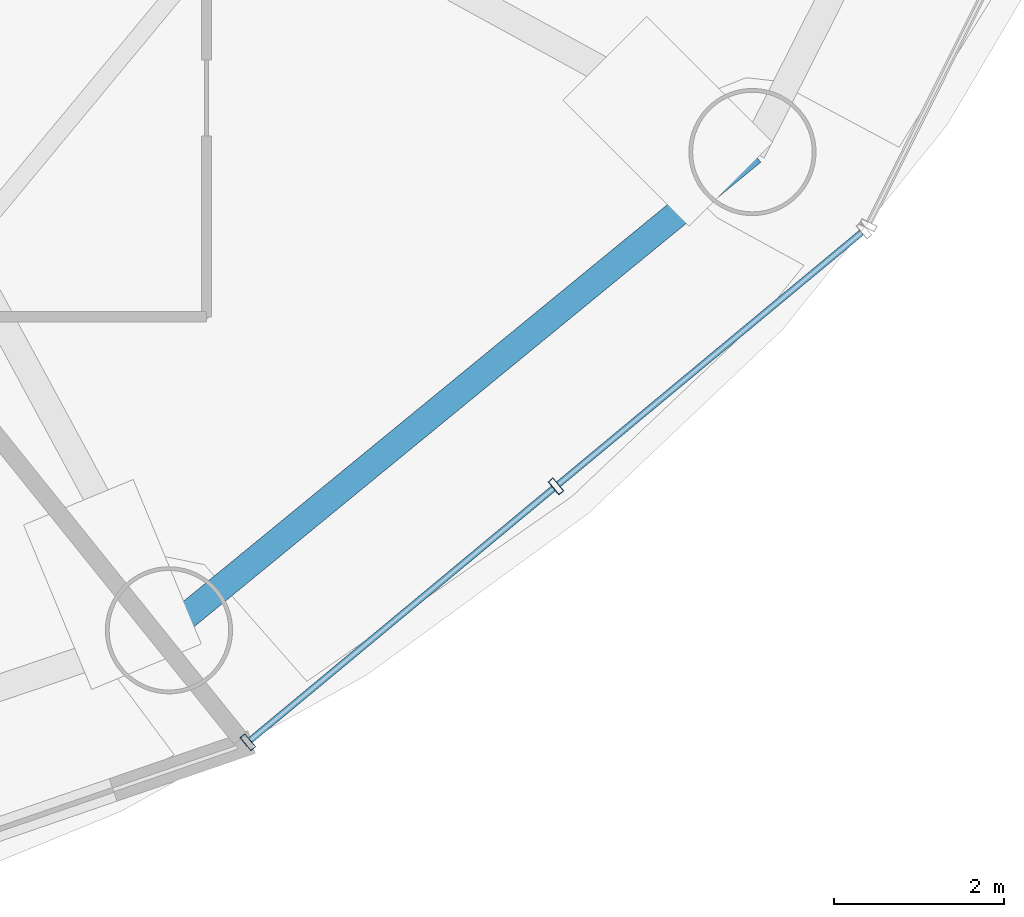
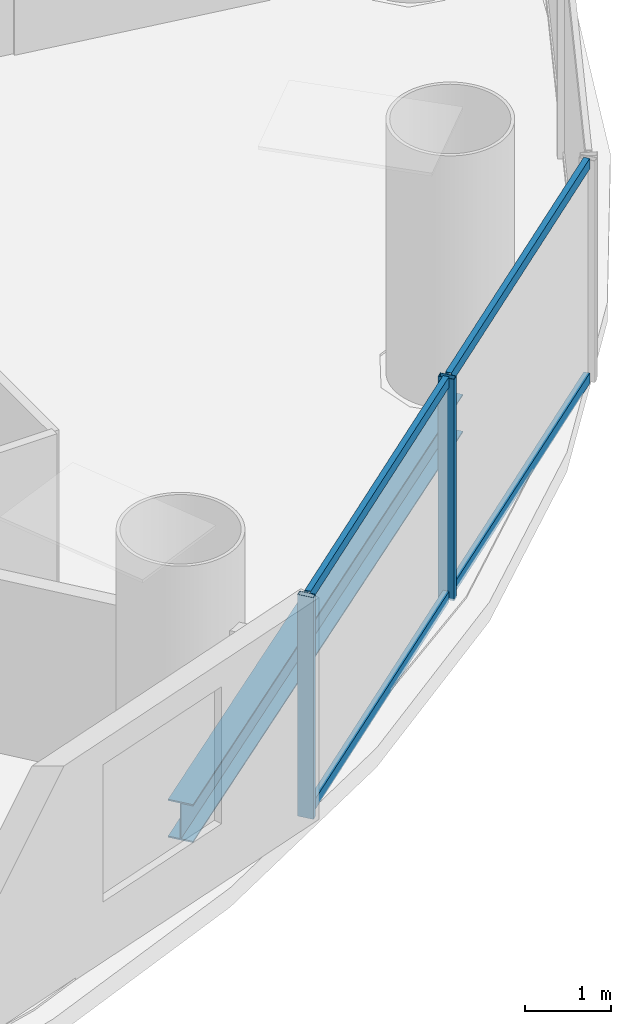
# One storey, part 11 of 29: 6 members, 1 beam, 1 element without a shape of its own.
"""IFC4 building model written with IfcOpenShell, lengths in metres."""

import ifcopenshell
import ifcopenshell.guid

model = None  # the IFC model being written
_history = None  # IfcOwnerHistory: only IFC2X3 demands one
_inside = {}  # id of a spatial element -> (the spatial element, [elements in it])
_under = {}  # id of a project, library or spatial element -> (it, [spatial elements below it])
_declared = {}  # id of a project -> (the project, [libraries it declares])
_typed = {}  # id of a type object -> (the type object, [elements of that type])
_made_of = {}  # id of a material, layer set ... -> (it, [elements and type objects made of it])


def new_model(schema):
    """Start an empty IFC model of exactly this schema.

    Asked for "IFC4X3", IfcOpenShell would pick the latest addendum, in which some entities
    have other attributes; the version numbers below select the first issue.
    IFC2X3 requires an IfcOwnerHistory on every rooted entity: one is made here for all.
    """
    global model, _history
    if schema == "IFC4X3":
        model = ifcopenshell.file(schema_version=(4, 3, 0, 0))
    else:
        model = ifcopenshell.file(schema=schema)
    _inside.clear()
    _under.clear()
    _declared.clear()
    _typed.clear()
    _made_of.clear()
    _history = None
    if model.schema == "IFC2X3":
        org = make("IfcOrganization", Name="unknown")
        user = make(
            "IfcPersonAndOrganization",
            ThePerson=make("IfcPerson", FamilyName="unknown"),
            TheOrganization=org,
        )
        app = make(
            "IfcApplication",
            ApplicationDeveloper=org,
            Version="unknown",
            ApplicationFullName="unknown",
            ApplicationIdentifier="unknown",
        )
        _history = make(
            "IfcOwnerHistory",
            OwningUser=user,
            OwningApplication=app,
            ChangeAction="ADDED",
            CreationDate=0,
        )
    return model


def make(cls, **values):
    """One entity of the class cls with the attributes given. An attribute that is None is left unset."""
    return model.create_entity(
        cls, **{name: value for name, value in values.items() if value is not None}
    )


def rooted(cls, **values):
    """An entity with a GlobalId (a new one), such as an element, a storey or a relation."""
    return make(cls, GlobalId=ifcopenshell.guid.new(), OwnerHistory=_history, **values)


def si_unit(unit_type, name, prefix=None):
    """IfcSIUnit, for example si_unit("LENGTHUNIT", "METRE", prefix="MILLI")."""
    return make("IfcSIUnit", UnitType=unit_type, Prefix=prefix, Name=name)


def assignment(units):
    """IfcUnitAssignment: the units of a project."""
    return None if units is None else make("IfcUnitAssignment", Units=units)


def point(xyz):
    """IfcCartesianPoint."""
    return None if xyz is None else make("IfcCartesianPoint", Coordinates=xyz)


def direction(xyz):
    """IfcDirection."""
    return None if xyz is None else make("IfcDirection", DirectionRatios=xyz)


def frame(location, z_axis=None, x_axis=None):
    """IfcAxis2Placement3D, a coordinate frame: its origin and axes. An axis left out is left unset."""
    return make(
        "IfcAxis2Placement3D",
        Location=point(location),
        Axis=direction(z_axis),
        RefDirection=direction(x_axis),
    )


def frame_2d(location, x_axis=None):
    """IfcAxis2Placement2D, a coordinate frame in the plane: its origin and x axis."""
    return make(
        "IfcAxis2Placement2D", Location=point(location), RefDirection=direction(x_axis)
    )


def origin():
    """The frame at (0, 0, 0) with its axes left unset."""
    return frame((0.0, 0.0, 0.0))


def origin_2d():
    """The frame at (0, 0) in the plane with its x axis left unset."""
    return frame_2d((0.0, 0.0))


def place(relative_to, where):
    """IfcLocalPlacement: puts the frame where relative to a parent placement (None: the world)."""
    return make(
        "IfcLocalPlacement", PlacementRelTo=relative_to, RelativePlacement=where
    )


def context(
    kind, dimensions, precision=None, world=None, true_north=None, identifier=None
):
    """IfcGeometricRepresentationContext, for example the 3D "Model" context."""
    return make(
        "IfcGeometricRepresentationContext",
        ContextIdentifier=identifier,
        ContextType=kind,
        CoordinateSpaceDimension=dimensions,
        Precision=precision,
        WorldCoordinateSystem=world,
        TrueNorth=true_north,
    )


def subcontext(parent, identifier, kind, view, scale=None):
    """IfcGeometricRepresentationSubContext, for example "Body" below "Model"."""
    return make(
        "IfcGeometricRepresentationSubContext",
        ContextIdentifier=identifier,
        ContextType=kind,
        ParentContext=parent,
        TargetScale=scale,
        TargetView=view,
    )


def project(units=None, contexts=None):
    """IfcProject with its units and contexts."""
    return rooted(
        "IfcProject",
        Name="project",
        RepresentationContexts=contexts,
        UnitsInContext=assignment(units),
    )


def spatial(cls, under=None, at=None, **own):
    """A site, building, storey or space (cls), placed at a placement, below another one or the project."""
    s = rooted(cls, ObjectPlacement=at, **own)
    if under is not None:
        _under.setdefault(under.id(), (under, []))[1].append(s)
    return s


def profile(cls, at=None, kind="AREA", **sizes):
    """A parametric profile (cls). Its sizes go by their IFC names, for example OverallWidth=200.0."""
    return make(cls, ProfileType=kind, Position=at, **sizes)


def hollow_rectangle(**sizes):
    """IfcRectangleHollowProfileDef."""
    return profile("IfcRectangleHollowProfileDef", **sizes)


def i_section(**sizes):
    """IfcIShapeProfileDef."""
    return profile("IfcIShapeProfileDef", **sizes)


def extrude(swept, where, along, depth):
    """IfcExtrudedAreaSolid: the profile swept, set in the frame where, extruded along a direction by depth."""
    return make(
        "IfcExtrudedAreaSolid",
        SweptArea=swept,
        Position=where,
        ExtrudedDirection=direction(along),
        Depth=depth,
    )


def shape(context_of_items, identifier, shape_type, items):
    """IfcShapeRepresentation: the items that make up one representation, for example the "Body"."""
    return make(
        "IfcShapeRepresentation",
        ContextOfItems=context_of_items,
        RepresentationIdentifier=identifier,
        RepresentationType=shape_type,
        Items=items,
    )


def source(mapping_origin, context_of_items, identifier, shape_type, items):
    """IfcRepresentationMap: a shape defined once, which mapped items show again and again."""
    return make(
        "IfcRepresentationMap",
        MappingOrigin=mapping_origin,
        MappedRepresentation=shape(context_of_items, identifier, shape_type, items),
    )


def transform(
    local_origin,
    x_axis=None,
    y_axis=None,
    z_axis=None,
    scale=None,
    scale2=None,
    scale3=None,
    uniform=True,
):
    """IfcCartesianTransformationOperator3D, or its non-uniform kind. x_axis, y_axis, z_axis: its Axis1, 2, 3."""
    if uniform:
        return make(
            "IfcCartesianTransformationOperator3D",
            Axis1=direction(x_axis),
            Axis2=direction(y_axis),
            LocalOrigin=point(local_origin),
            Scale=scale,
            Axis3=direction(z_axis),
        )
    return make(
        "IfcCartesianTransformationOperator3DnonUniform",
        Axis1=direction(x_axis),
        Axis2=direction(y_axis),
        LocalOrigin=point(local_origin),
        Scale=scale,
        Axis3=direction(z_axis),
        Scale2=scale2,
        Scale3=scale3,
    )


def mapped(mapping_source, mapping_target):
    """IfcMappedItem: shows the shape of a source again, moved by a transform."""
    return make(
        "IfcMappedItem", MappingSource=mapping_source, MappingTarget=mapping_target
    )


def material(Name=None, Category=None):
    """IfcMaterial."""
    return make("IfcMaterial", Name=Name, Category=Category)


def material_profile(
    of_material, cross_section, Name=None, Category=None, Priority=None
):
    """IfcMaterialProfile: a cross section and its material."""
    return make(
        "IfcMaterialProfile",
        Name=Name,
        Material=of_material,
        Profile=cross_section,
        Priority=Priority,
        Category=Category,
    )


def profile_set(profiles, Name=None, composite=None):
    """IfcMaterialProfileSet."""
    return make(
        "IfcMaterialProfileSet",
        Name=Name,
        MaterialProfiles=profiles,
        CompositeProfile=composite,
    )


def made_of(thing, what):
    """Note that an element or type object is made of a material, layer set ...; save() writes the relation."""
    if what is not None:
        _made_of.setdefault(what.id(), (what, []))[1].append(thing)
    return thing


def type_object(cls, material=None, **own):
    """A type object (cls), such as IfcWallType, which elements share."""
    return made_of(rooted(cls, **own), material)


def element(
    cls,
    number,
    at=None,
    inside=None,
    cuts=None,
    type_object=None,
    material=None,
    context=None,
    identifier="Body",
    shape_type=None,
    held_by="IfcProductDefinitionShape",
    body=None,
    shapes=None,
    **own,
):
    """One element of the class cls, such as IfcWall. Its Tag is "e" and its number.

    at: its placement. inside: the storey or other place that contains it. cuts: it is an
    opening in that element (IfcRelVoidsElement). A single representation is given by context,
    identifier, shape_type and body (its items); several are given by shapes. held_by: the class
    of the entity that holds the representations. save() writes the other relations.
    """
    e = rooted(cls, Tag="e%d" % number, ObjectPlacement=at, **own)
    if body is not None:
        shapes = [shape(context, identifier, shape_type, body)]
    if shapes is not None:
        e.Representation = make(held_by, Representations=shapes)
    if inside is not None:
        _inside.setdefault(inside.id(), (inside, []))[1].append(e)
    if cuts is not None:
        rooted(
            "IfcRelVoidsElement", RelatingBuildingElement=cuts, RelatedOpeningElement=e
        )
    if type_object is not None:
        _typed.setdefault(type_object.id(), (type_object, []))[1].append(e)
    return made_of(e, material)


def aggregate(whole, parts):
    """IfcRelAggregates: a whole, such as a stair, and the parts it consists of."""
    return rooted("IfcRelAggregates", RelatingObject=whole, RelatedObjects=parts)


def save(model, path):
    """Write the relations noted so far, then the file.

    IfcRelAggregates (storeys below a building ...), IfcRelContainedInSpatialStructure (elements
    in a storey), IfcRelDefinesByType, IfcRelAssociatesMaterial and IfcRelDeclares: one each for
    every whole, place, type object, material and project.
    """
    for whole, parts in _under.values():
        aggregate(whole, parts)
    for where, things in _inside.values():
        rooted(
            "IfcRelContainedInSpatialStructure",
            RelatedElements=things,
            RelatingStructure=where,
        )
    for kind, things in _typed.values():
        rooted("IfcRelDefinesByType", RelatedObjects=things, RelatingType=kind)
    for what, things in _made_of.values():
        rooted("IfcRelAssociatesMaterial", RelatedObjects=things, RelatingMaterial=what)
    for by, libraries in _declared.values():
        rooted("IfcRelDeclares", RelatingContext=by, RelatedDefinitions=libraries)
    model.write(path)


model = new_model("IFC4")

# Units and contexts
model_context = context("Model", 3, precision=1e-05, world=origin(), true_north=direction((-0.2419218956, 0.970295726276)))
body_context = subcontext(model_context, "Body", "Model", "MODEL_VIEW")
ifc_project = project(units=[si_unit("LENGTHUNIT", "METRE"), si_unit("AREAUNIT", "SQUARE_METRE"), si_unit("VOLUMEUNIT", "CUBIC_METRE"), si_unit("PLANEANGLEUNIT", "RADIAN"), si_unit("MASSUNIT", "GRAM", prefix="KILO")], contexts=[model_context])

# Site, building, storey
site_placement = place(None, origin())
site = spatial("IfcSite", under=ifc_project, at=site_placement, CompositionType="ELEMENT")
building_placement = place(site_placement, origin())
building = spatial("IfcBuilding", under=site, at=building_placement, Name="Cobrevalo Terracotta Tower", CompositionType="ELEMENT")
storey_placement = place(building_placement, frame((0.0, 0.0, 126.60009765625)))
storey = spatial("IfcBuildingStorey", under=building, at=storey_placement, Name="L33", CompositionType="ELEMENT", Elevation=126.60009765625)

# Beam
ifc_material_1 = material(Name="Steel S355", Category="steel")
ifc_material_profile_1 = material_profile(ifc_material_1, i_section(OverallWidth=0.31201171875, OverallDepth=0.54296875, WebThickness=0.0126953125, FlangeThickness=0.020263671875, at=origin_2d()), Name="W 530x150")
ifc_profile_set_1 = profile_set([ifc_material_profile_1], Name="Steel S355")
beam_type = type_object("IfcBeamType", Name="Structural Spandrel W 530x150 (Steel S355)", PredefinedType="SPANDREL", material=ifc_profile_set_1)
beam_placement = place(storey_placement, frame((51.861572265625, 9.79638671875, -0.546630859375), z_axis=(0.773400923541, 0.633917196064, 0.0), x_axis=(-0.633917196064, 0.773400923541, 0.0)))
element("IfcBeam", 1, at=beam_placement, inside=storey, type_object=beam_type, Name="L33 perimeter ring spandrel 14", PredefinedType="SPANDREL", context=body_context, shape_type="SweptSolid", body=[
    extrude(i_section(OverallWidth=0.31201171875, OverallDepth=0.54296875, WebThickness=0.0126953125, FlangeThickness=0.020263671875, at=origin_2d()), origin(), (0.0, 0.0, 1.0), 8.900390625),
])

# Curtain wall, members
ifc_material_2 = material(Name="Anodized aluminium", Category="aluminium")
curtain_wall_type = type_object("IfcCurtainWallType", Name="Lower-tower unitised acoustic low-E curtain wall CW-U1", PredefinedType="NOTDEFINED", material=ifc_material_2)
curtain_wall_placement = place(storey_placement, origin())
curtain_wall = element("IfcCurtainWall", 2, at=curtain_wall_placement, inside=storey, type_object=curtain_wall_type, Name="L33 curtain wall CW-L33-S14", PredefinedType="NOTDEFINED")
ifc_material_profile_2 = material_profile(ifc_material_2, hollow_rectangle(XDim=0.074951171875, YDim=0.199951171875, WallThickness=0.0048828125, at=origin_2d()), Name="CWM 75x200")
ifc_profile_set_2 = profile_set([ifc_material_profile_2], Name="Anodized aluminium")
member_type_1 = type_object("IfcMemberType", Name="Lower/mid tower unitised mullion 75x200", PredefinedType="MULLION", material=ifc_profile_set_2)
shared_shape_1 = source(origin(), body_context, "Body", "SweptSolid", [
    extrude(hollow_rectangle(XDim=0.074951171875, YDim=0.199951171875, WallThickness=0.0048828125, at=origin_2d()), origin(), (0.0, 0.0, 1.0), 3.14990234375),
])
member_1_placement = place(storey_placement, frame((52.792236328125, 8.47509765625, 0.0), z_axis=(0.0, 0.0, 1.0), x_axis=(0.769243451658, 0.638955798222, 0.0)))
member_1 = element("IfcMember", 3, at=member_1_placement, type_object=member_type_1, Name="CW-L33-S14 vertical mullion 01", PredefinedType="MULLION", context=body_context, shape_type="MappedRepresentation", body=[
    mapped(shared_shape_1, transform((0.0, 0.0, 0.0), scale=1.0)),
])
member_2_placement = place(storey_placement, frame((56.4267578125, 11.493896484375, 0.0), z_axis=(0.0, 0.0, 1.0), x_axis=(0.769243451658, 0.638955798222, 0.0)))
member_2 = element("IfcMember", 4, at=member_2_placement, type_object=member_type_1, Name="CW-L33-S14 vertical mullion 02", PredefinedType="MULLION", context=body_context, shape_type="MappedRepresentation", body=[
    mapped(shared_shape_1, transform((0.0, 0.0, 0.0), scale=1.0)),
])
ifc_material_profile_3 = material_profile(ifc_material_2, hollow_rectangle(XDim=0.074951171875, YDim=0.14990234375, WallThickness=0.00439453125, at=origin_2d()), Name="CWT 75x150")
ifc_profile_set_3 = profile_set([ifc_material_profile_3], Name="Anodized aluminium")
member_type_2 = type_object("IfcMemberType", Name="Tower unitised aluminium transom 75x150", PredefinedType="USERDEFINED", material=ifc_profile_set_3)
shared_shape_2 = source(origin(), body_context, "Body", "SweptSolid", [
    extrude(hollow_rectangle(XDim=0.074951171875, YDim=0.14990234375, WallThickness=0.00439453125, at=origin_2d()), origin(), (0.0, 0.0, 1.0), 4.64501953125),
])
member_3_placement = place(storey_placement, frame((52.822998046875, 8.50048828125, 0.0498046875), z_axis=(0.769224156193, 0.638979027457, 0.0), x_axis=(-0.638979027457, 0.769224156193, 0.0)))
member_3 = element("IfcMember", 5, at=member_3_placement, type_object=member_type_2, Name="CW-L33-S14 transom B01-T1", ObjectType="TRANSOM", PredefinedType="USERDEFINED", context=body_context, shape_type="MappedRepresentation", body=[
    mapped(shared_shape_2, transform((0.0, 0.0, 0.0), scale=1.0)),
])
member_4_placement = place(storey_placement, frame((52.822998046875, 8.50048828125, 3.099853515625), z_axis=(0.769224156193, 0.638979027457, 0.0), x_axis=(-0.638979027457, 0.769224156193, 0.0)))
member_4 = element("IfcMember", 6, at=member_4_placement, type_object=member_type_2, Name="CW-L33-S14 transom B01-T2", ObjectType="TRANSOM", PredefinedType="USERDEFINED", context=body_context, shape_type="MappedRepresentation", body=[
    mapped(shared_shape_2, transform((0.0, 0.0, 0.0), scale=1.0)),
])
member_5_placement = place(storey_placement, frame((56.45751953125, 11.51953125, 0.0498046875), z_axis=(0.769224156193, 0.638979027457, 0.0), x_axis=(-0.638979027457, 0.769224156193, 0.0)))
member_5 = element("IfcMember", 7, at=member_5_placement, type_object=member_type_2, Name="CW-L33-S14 transom B02-T1", ObjectType="TRANSOM", PredefinedType="USERDEFINED", context=body_context, shape_type="MappedRepresentation", body=[
    mapped(shared_shape_2, transform((0.0, 0.0, 0.0), scale=1.0)),
])
member_6_placement = place(storey_placement, frame((56.45751953125, 11.51953125, 3.099853515625), z_axis=(0.769224156193, 0.638979027457, 0.0), x_axis=(-0.638979027457, 0.769224156193, 0.0)))
member_6 = element("IfcMember", 8, at=member_6_placement, type_object=member_type_2, Name="CW-L33-S14 transom B02-T2", ObjectType="TRANSOM", PredefinedType="USERDEFINED", context=body_context, shape_type="MappedRepresentation", body=[
    mapped(shared_shape_2, transform((0.0, 0.0, 0.0), scale=1.0)),
])
aggregate(curtain_wall, [member_1, member_2, member_3, member_4, member_5, member_6])

save(model, "model.ifc")
